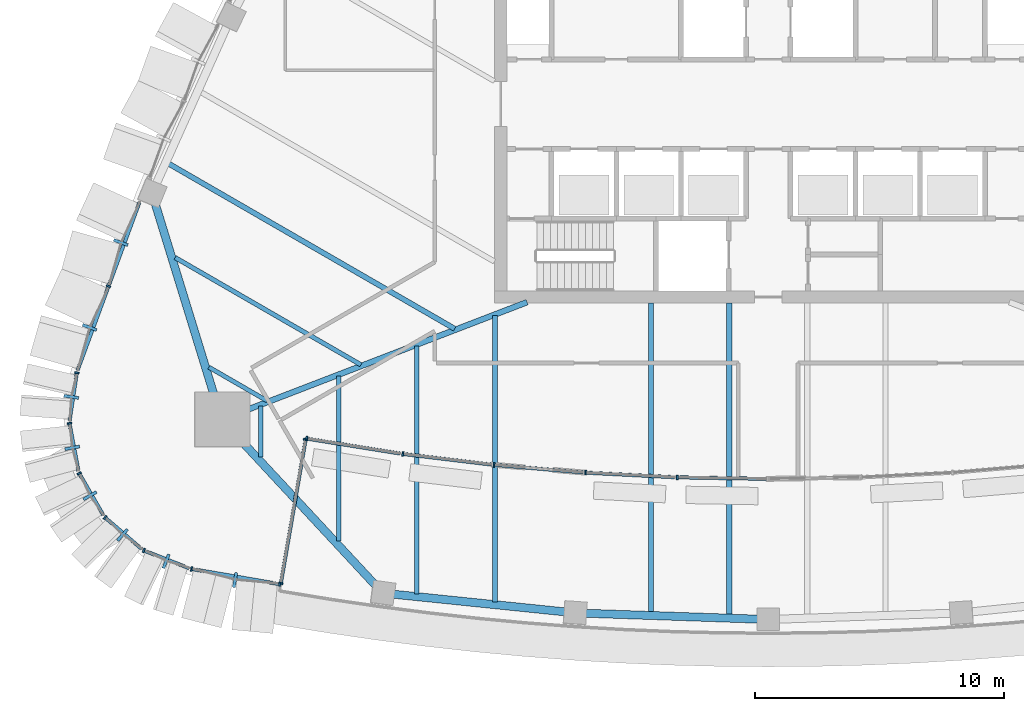
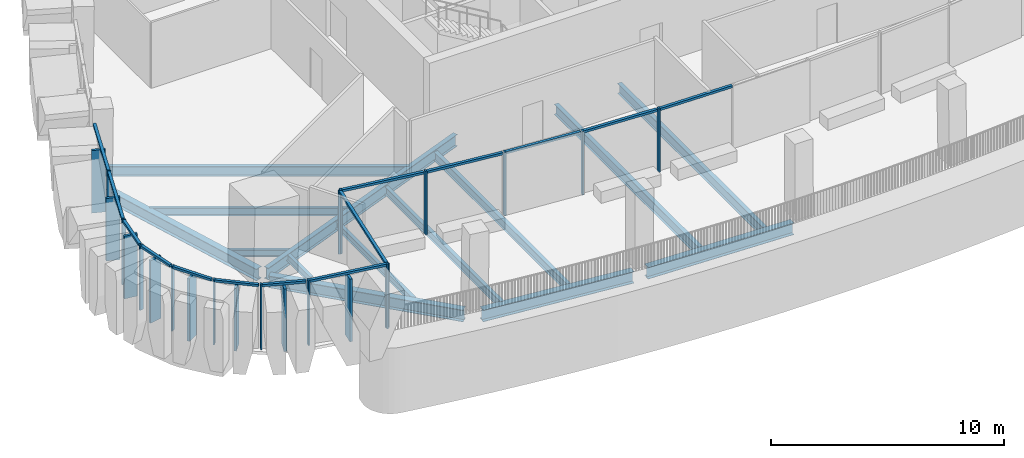
# One storey, part 2 of 22: 37 members, 14 beams, 13 elements without a shape of their own.
"""IFC4 building model written with IfcOpenShell, lengths in metres."""

from ifc_helpers import new_model, si_unit, direction, frame, origin, origin_2d, place, context, subcontext, project, spatial, rectangle, i_section, extrude, material, layer, layer_set, material_profile, profile_set, type_object, element, aggregate, save


model = new_model("IFC4")

# Units and contexts
model_context = context("Model", 3, precision=1e-05, world=origin(), true_north=direction((0.0, 1.0)))
body_context = subcontext(model_context, "Body", "Model", "MODEL_VIEW")
ifc_project = project(units=[si_unit("LENGTHUNIT", "METRE"), si_unit("AREAUNIT", "SQUARE_METRE"), si_unit("VOLUMEUNIT", "CUBIC_METRE"), si_unit("PLANEANGLEUNIT", "RADIAN"), si_unit("MASSUNIT", "GRAM", prefix="KILO")], contexts=[model_context])

# Site, building, storey
site_placement = place(None, origin())
site = spatial("IfcSite", under=ifc_project, at=site_placement, CompositionType="ELEMENT")
building_placement = place(site_placement, origin())
building = spatial("IfcBuilding", under=site, at=building_placement, Name="Sierra Prisma Convention Tower", CompositionType="ELEMENT")
storey_placement = place(building_placement, frame((0.0, 0.0, 243.0)))
storey = spatial("IfcBuildingStorey", under=building, at=storey_placement, Name="L54", CompositionType="ELEMENT", Elevation=243.0)

# Curtain wall, members
ifc_material_1 = material(Name="Aluminium and glass curtain wall", Category="aluminium")
ifc_layer_1 = layer(ifc_material_1, 0.179931640625)
ifc_layer_set_1 = layer_set([ifc_layer_1], Name="CW-2 Faceted crystal curtain wall")
curtain_wall_type_1 = type_object("IfcCurtainWallType", Name="CW-2 Faceted crystal curtain wall", PredefinedType="NOTDEFINED", material=ifc_layer_set_1)
curtain_wall_1_placement = place(storey_placement, origin())
curtain_wall_1 = element("IfcCurtainWall", 1, at=curtain_wall_1_placement, inside=storey, type_object=curtain_wall_type_1, Name="CW-2 NW6 L54", PredefinedType="NOTDEFINED")
ifc_material_2 = material(Name="Aluminium 6063-T6 bronze anodised", Category="aluminium")
ifc_material_profile_1 = material_profile(ifc_material_2, rectangle(XDim=0.1201171875, YDim=0.60009765625, at=origin_2d()), Name="ALU RIDGE BLADE 120x600")
ifc_profile_set_1 = profile_set([ifc_material_profile_1], Name="Aluminium 6063-T6 bronze anodised")
member_type_1 = type_object("IfcMemberType", Name="CW hip bronze", PredefinedType="MULLION", material=ifc_profile_set_1)
member_1_placement = place(storey_placement, frame((-26.006591796875, -5.563232421875, 0.0), z_axis=(0.0, 0.0, 1.0), x_axis=(-0.345602876726, -0.938380867025, 0.0)))
member_1 = element("IfcMember", 2, at=member_1_placement, type_object=member_type_1, Name="CW-2 ridge NW6.1", PredefinedType="MULLION", context=body_context, shape_type="SweptSolid", body=[
    extrude(rectangle(XDim=0.1201171875, YDim=0.60009765625, at=origin_2d()), origin(), (0.0, 0.0, 1.0), 3.280029296875),
])
member_2_placement = place(storey_placement, frame((-27.262451171875, -8.972900390625, 0.0), z_axis=(0.0, 0.0, 1.0), x_axis=(-0.345602876726, -0.938380867025, 0.0)))
member_2 = element("IfcMember", 3, at=member_2_placement, type_object=member_type_1, Name="CW-2 ridge NW6.2", PredefinedType="MULLION", context=body_context, shape_type="SweptSolid", body=[
    extrude(rectangle(XDim=0.1201171875, YDim=0.60009765625, at=origin_2d()), origin(), (0.0, 0.0, 1.0), 3.280029296875),
])

# Curtain wall, member
curtain_wall_2_placement = place(storey_placement, origin())
curtain_wall_2 = element("IfcCurtainWall", 4, at=curtain_wall_2_placement, inside=storey, type_object=curtain_wall_type_1, Name="CW-2 SW1 L54", PredefinedType="NOTDEFINED")
member_3_placement = place(storey_placement, frame((-27.998779296875, -11.762451171875, 0.0), z_axis=(0.0, 0.0, 1.0), x_axis=(-0.14970545889, -0.988730638535, 0.0)))
member_3 = element("IfcMember", 5, at=member_3_placement, type_object=member_type_1, Name="CW-2 ridge SW1.1", PredefinedType="MULLION", context=body_context, shape_type="SweptSolid", body=[
    extrude(rectangle(XDim=0.1201171875, YDim=0.60009765625, at=origin_2d()), origin(), (0.0, 0.0, 1.0), 3.280029296875),
])

curtain_wall_3_placement = place(storey_placement, origin())
curtain_wall_3 = element("IfcCurtainWall", 6, at=curtain_wall_3_placement, inside=storey, type_object=curtain_wall_type_1, Name="CW-2 SW2 L54", PredefinedType="NOTDEFINED")
member_4_placement = place(storey_placement, frame((-27.96142578125, -13.811279296875, 0.0), z_axis=(0.0, 0.0, 1.0), x_axis=(0.185582084377, -0.982628765078, 0.0)))
member_4 = element("IfcMember", 7, at=member_4_placement, type_object=member_type_1, Name="CW-2 ridge SW2.1", PredefinedType="MULLION", context=body_context, shape_type="SweptSolid", body=[
    extrude(rectangle(XDim=0.1201171875, YDim=0.60009765625, at=origin_2d()), origin(), (0.0, 0.0, 1.0), 3.280029296875),
])

curtain_wall_4_placement = place(storey_placement, origin())
curtain_wall_4 = element("IfcCurtainWall", 8, at=curtain_wall_4_placement, inside=storey, type_object=curtain_wall_type_1, Name="CW-2 SW3 L54", PredefinedType="NOTDEFINED")
member_5_placement = place(storey_placement, frame((-27.2490234375, -15.732177734375, 0.0), z_axis=(0.0, 0.0, 1.0), x_axis=(0.5, -0.866025403784, 0.0)))
member_5 = element("IfcMember", 9, at=member_5_placement, type_object=member_type_1, Name="CW-2 ridge SW3.1", PredefinedType="MULLION", context=body_context, shape_type="SweptSolid", body=[
    extrude(rectangle(XDim=0.1201171875, YDim=0.60009765625, at=origin_2d()), origin(), (0.0, 0.0, 1.0), 3.280029296875),
])

curtain_wall_5_placement = place(storey_placement, origin())
curtain_wall_5 = element("IfcCurtainWall", 10, at=curtain_wall_5_placement, inside=storey, type_object=curtain_wall_type_1, Name="CW-2 SW4 L54", PredefinedType="NOTDEFINED")
member_6_placement = place(storey_placement, frame((-25.941650390625, -17.309814453125, 0.0), z_axis=(0.0, 0.0, 1.0), x_axis=(0.758190430858, -0.652033182097, 0.0)))
member_6 = element("IfcMember", 11, at=member_6_placement, type_object=member_type_1, Name="CW-2 ridge SW4.1", PredefinedType="MULLION", context=body_context, shape_type="SweptSolid", body=[
    extrude(rectangle(XDim=0.1201171875, YDim=0.60009765625, at=origin_2d()), origin(), (0.0, 0.0, 1.0), 3.280029296875),
])

curtain_wall_6_placement = place(storey_placement, origin())
curtain_wall_6 = element("IfcCurtainWall", 12, at=curtain_wall_6_placement, inside=storey, type_object=curtain_wall_type_1, Name="CW-2 SW5 L54", PredefinedType="NOTDEFINED")
member_7_placement = place(storey_placement, frame((-24.18603515625, -18.366455078125, 0.0), z_axis=(0.0, 0.0, 1.0), x_axis=(0.931118579917, -0.364716588784, 0.0)))
member_7 = element("IfcMember", 13, at=member_7_placement, type_object=member_type_1, Name="CW-2 ridge SW5.1", PredefinedType="MULLION", context=body_context, shape_type="SweptSolid", body=[
    extrude(rectangle(XDim=0.1201171875, YDim=0.60009765625, at=origin_2d()), origin(), (0.0, 0.0, 1.0), 3.280029296875),
])

curtain_wall_7_placement = place(storey_placement, origin())
curtain_wall_7 = element("IfcCurtainWall", 14, at=curtain_wall_7_placement, inside=storey, type_object=curtain_wall_type_1, Name="CW-2 S1 L54", PredefinedType="NOTDEFINED")
member_8_placement = place(storey_placement, frame((-21.4189453125, -19.119140625, 0.0), z_axis=(0.0, 0.0, 1.0), x_axis=(0.985463107632, -0.169889562647, 0.0)))
member_8 = element("IfcMember", 15, at=member_8_placement, type_object=member_type_1, Name="CW-2 ridge S1.1", PredefinedType="MULLION", context=body_context, shape_type="SweptSolid", body=[
    extrude(rectangle(XDim=0.1201171875, YDim=0.60009765625, at=origin_2d()), origin(), (0.0, 0.0, 1.0), 3.280029296875),
])

# Member
ifc_material_3 = material(Name="Aluminium 6063-T6 bronze anodised", Category="aluminium")
ifc_material_profile_2 = material_profile(ifc_material_3, rectangle(XDim=0.179931640625, YDim=0.070068359375, at=origin_2d()), Name="ALU MULLION 70x180")
ifc_profile_set_2 = profile_set([ifc_material_profile_2], Name="Aluminium 6063-T6 bronze anodised")
member_type_2 = type_object("IfcMemberType", Name="CW mullion bronze", PredefinedType="MULLION", material=ifc_profile_set_2)
member_9_placement = place(storey_placement, frame((-26.5029296875, -7.31640625, 0.0), z_axis=(0.0, 0.0, 1.0), x_axis=(0.938380867025, -0.345602876726, 0.0)))
member_9 = element("IfcMember", 16, at=member_9_placement, type_object=member_type_2, Name="CW-1 mullion NW6.2", PredefinedType="MULLION", context=body_context, shape_type="SweptSolid", body=[
    extrude(rectangle(XDim=0.179931640625, YDim=0.070068359375, at=origin_2d()), origin(), (0.0, 0.0, 1.0), 3.39990234375),
])

member_10_placement = place(storey_placement, frame((-27.77587890625, -10.793701171875, 0.0), z_axis=(0.0, 0.0, 1.0), x_axis=(0.988730638535, -0.14970545889, 0.0)))
member_10 = element("IfcMember", 17, at=member_10_placement, type_object=member_type_2, Name="CW-1 mullion SW1.1", PredefinedType="MULLION", context=body_context, shape_type="SweptSolid", body=[
    extrude(rectangle(XDim=0.179931640625, YDim=0.070068359375, at=origin_2d()), origin(), (0.0, 0.0, 1.0), 3.39990234375),
])

member_11_placement = place(storey_placement, frame((-28.071533203125, -12.822998046875, 0.0), z_axis=(0.0, 0.0, 1.0), x_axis=(0.982628765078, 0.185582084377, 0.0)))
member_11 = element("IfcMember", 18, at=member_11_placement, type_object=member_type_2, Name="CW-1 mullion SW2.1", PredefinedType="MULLION", context=body_context, shape_type="SweptSolid", body=[
    extrude(rectangle(XDim=0.179931640625, YDim=0.070068359375, at=origin_2d()), origin(), (0.0, 0.0, 1.0), 3.39990234375),
])

member_12_placement = place(storey_placement, frame((-27.6796875, -14.836181640625, 0.0), z_axis=(0.0, 0.0, 1.0), x_axis=(0.866025403784, 0.5, 0.0)))
member_12 = element("IfcMember", 19, at=member_12_placement, type_object=member_type_2, Name="CW-1 mullion SW3.1", PredefinedType="MULLION", context=body_context, shape_type="SweptSolid", body=[
    extrude(rectangle(XDim=0.179931640625, YDim=0.070068359375, at=origin_2d()), origin(), (0.0, 0.0, 1.0), 3.39990234375),
])

member_13_placement = place(storey_placement, frame((-26.644287109375, -16.6064453125, 0.0), z_axis=(0.0, 0.0, 1.0), x_axis=(0.652033182097, 0.758190430858, 0.0)))
member_13 = element("IfcMember", 20, at=member_13_placement, type_object=member_type_2, Name="CW-1 mullion SW4.1", PredefinedType="MULLION", context=body_context, shape_type="SweptSolid", body=[
    extrude(rectangle(XDim=0.179931640625, YDim=0.070068359375, at=origin_2d()), origin(), (0.0, 0.0, 1.0), 3.39990234375),
])

member_14_placement = place(storey_placement, frame((-25.081787109375, -17.934814453125, 0.0), z_axis=(0.0, 0.0, 1.0), x_axis=(0.364716588784, 0.931118579917, 0.0)))
member_14 = element("IfcMember", 21, at=member_14_placement, type_object=member_type_2, Name="CW-1 mullion SW5.1", PredefinedType="MULLION", context=body_context, shape_type="SweptSolid", body=[
    extrude(rectangle(XDim=0.179931640625, YDim=0.070068359375, at=origin_2d()), origin(), (0.0, 0.0, 1.0), 3.39990234375),
])

member_15_placement = place(storey_placement, frame((-23.16845703125, -18.676513671875, 0.0), z_axis=(0.0, 0.0, 1.0), x_axis=(0.169889562647, 0.985463107632, 0.0)))
member_15 = element("IfcMember", 22, at=member_15_placement, type_object=member_type_2, Name="CW-1 mullion S1.1", PredefinedType="MULLION", context=body_context, shape_type="SweptSolid", body=[
    extrude(rectangle(XDim=0.179931640625, YDim=0.070068359375, at=origin_2d()), origin(), (0.0, 0.0, 1.0), 3.39990234375),
])

member_16_placement = place(storey_placement, frame((-19.6220703125, -19.2880859375, 0.0), z_axis=(0.0, 0.0, 1.0), x_axis=(0.169889562647, 0.985463107632, 0.0)))
member_16 = element("IfcMember", 23, at=member_16_placement, type_object=member_type_2, Name="CW-1 mullion S1.2", PredefinedType="MULLION", context=body_context, shape_type="SweptSolid", body=[
    extrude(rectangle(XDim=0.179931640625, YDim=0.070068359375, at=origin_2d()), origin(), (0.0, 0.0, 1.0), 3.39990234375),
])

# Curtain wall, member
ifc_material_4 = material(Name="Aluminium and glass curtain wall", Category="aluminium")
ifc_layer_2 = layer(ifc_material_4, 0.179931640625)
ifc_layer_set_2 = layer_set([ifc_layer_2], Name="CW-6 Terrace recess curtain wall")
curtain_wall_type_2 = type_object("IfcCurtainWallType", Name="CW-6 Terrace recess curtain wall", PredefinedType="NOTDEFINED", material=ifc_layer_set_2)
curtain_wall_8_placement = place(storey_placement, origin())
curtain_wall_8 = element("IfcCurtainWall", 24, at=curtain_wall_8_placement, inside=storey, type_object=curtain_wall_type_2, Name="CW-6 R1 L54", PredefinedType="NOTDEFINED")
member_17_placement = place(storey_placement, frame((-18.54248046875, -13.43701171875, 0.0), z_axis=(0.0, 0.0, 1.0), x_axis=(0.157852915543, 0.987462635776, 0.0)))
member_17 = element("IfcMember", 25, at=member_17_placement, type_object=member_type_2, Name="CW-6 mullion R1.1", PredefinedType="MULLION", context=body_context, shape_type="SweptSolid", body=[
    extrude(rectangle(XDim=0.179931640625, YDim=0.070068359375, at=origin_2d()), origin(), (0.0, 0.0, 1.0), 3.340087890625),
])

curtain_wall_9_placement = place(storey_placement, origin())
curtain_wall_9 = element("IfcCurtainWall", 26, at=curtain_wall_9_placement, inside=storey, type_object=curtain_wall_type_2, Name="CW-6 R2 L54", PredefinedType="NOTDEFINED")
member_18_placement = place(storey_placement, frame((-14.67724609375, -14.053466796875, 0.0), z_axis=(0.0, 0.0, 1.0), x_axis=(0.119218092591, 0.992868091138, 0.0)))
member_18 = element("IfcMember", 27, at=member_18_placement, type_object=member_type_2, Name="CW-6 mullion R2.1", PredefinedType="MULLION", context=body_context, shape_type="SweptSolid", body=[
    extrude(rectangle(XDim=0.179931640625, YDim=0.070068359375, at=origin_2d()), origin(), (0.0, 0.0, 1.0), 3.340087890625),
])

curtain_wall_10_placement = place(storey_placement, origin())
curtain_wall_10 = element("IfcCurtainWall", 28, at=curtain_wall_10_placement, inside=storey, type_object=curtain_wall_type_2, Name="CW-6 R3 L54", PredefinedType="NOTDEFINED")
member_19_placement = place(storey_placement, frame((-11.01416015625, -14.4921875, 0.0), z_axis=(0.0, 0.0, 1.0), x_axis=(0.08525518274, 0.99635914901, 0.0)))
member_19 = element("IfcMember", 29, at=member_19_placement, type_object=member_type_2, Name="CW-6 mullion R3.1", PredefinedType="MULLION", context=body_context, shape_type="SweptSolid", body=[
    extrude(rectangle(XDim=0.179931640625, YDim=0.070068359375, at=origin_2d()), origin(), (0.0, 0.0, 1.0), 3.340087890625),
])

curtain_wall_11_placement = place(storey_placement, origin())
curtain_wall_11 = element("IfcCurtainWall", 30, at=curtain_wall_11_placement, inside=storey, type_object=curtain_wall_type_2, Name="CW-6 R4 L54", PredefinedType="NOTDEFINED")
member_20_placement = place(storey_placement, frame((-7.338134765625, -14.805419921875, 0.0), z_axis=(0.0, 0.0, 1.0), x_axis=(0.051192893759, 0.998688784171, 0.0)))
member_20 = element("IfcMember", 31, at=member_20_placement, type_object=member_type_2, Name="CW-6 mullion R4.1", PredefinedType="MULLION", context=body_context, shape_type="SweptSolid", body=[
    extrude(rectangle(XDim=0.179931640625, YDim=0.070068359375, at=origin_2d()), origin(), (0.0, 0.0, 1.0), 3.340087890625),
])

curtain_wall_12_placement = place(storey_placement, origin())
curtain_wall_12 = element("IfcCurtainWall", 32, at=curtain_wall_12_placement, inside=storey, type_object=curtain_wall_type_2, Name="CW-6 R5 L54", PredefinedType="NOTDEFINED")
member_21_placement = place(storey_placement, frame((-3.65380859375, -14.9931640625, 0.0), z_axis=(0.0, 0.0, 1.0), x_axis=(0.017070930925, 0.999854281042, 0.0)))
member_21 = element("IfcMember", 33, at=member_21_placement, type_object=member_type_2, Name="CW-6 mullion R5.1", PredefinedType="MULLION", context=body_context, shape_type="SweptSolid", body=[
    extrude(rectangle(XDim=0.179931640625, YDim=0.070068359375, at=origin_2d()), origin(), (0.0, 0.0, 1.0), 3.340087890625),
])

# Curtain wall, members
curtain_wall_13_placement = place(storey_placement, origin())
curtain_wall_13 = element("IfcCurtainWall", 34, at=curtain_wall_13_placement, inside=storey, type_object=curtain_wall_type_2, Name="CW-6 RT1 L54", PredefinedType="NOTDEFINED")
member_22_placement = place(storey_placement, frame((-19.581787109375, -19.259521484375, 0.0), z_axis=(0.0, 0.0, 1.0), x_axis=(-0.985463107632, 0.169889562647, 0.0)))
member_22 = element("IfcMember", 35, at=member_22_placement, type_object=member_type_2, Name="CW-6 mullion RT1.1", PredefinedType="MULLION", context=body_context, shape_type="SweptSolid", body=[
    extrude(rectangle(XDim=0.179931640625, YDim=0.070068359375, at=origin_2d()), origin(), (0.0, 0.0, 1.0), 3.340087890625),
])
member_23_placement = place(storey_placement, frame((-18.5830078125, -13.4658203125, 0.0), z_axis=(0.0, 0.0, 1.0), x_axis=(-0.985463107632, 0.169889562647, 0.0)))
member_23 = element("IfcMember", 36, at=member_23_placement, type_object=member_type_2, Name="CW-6 mullion RT1.2", PredefinedType="MULLION", context=body_context, shape_type="SweptSolid", body=[
    extrude(rectangle(XDim=0.179931640625, YDim=0.070068359375, at=origin_2d()), origin(), (0.0, 0.0, 1.0), 3.340087890625),
])

# Member
ifc_material_5 = material(Name="Aluminium 6063-T6 bronze anodised", Category="aluminium")
ifc_material_profile_3 = material_profile(ifc_material_5, rectangle(XDim=0.139892578125, YDim=0.1201171875, at=origin_2d()), Name="ALU TRANSOM 120x140")
ifc_profile_set_3 = profile_set([ifc_material_profile_3], Name="Aluminium 6063-T6 bronze anodised")
member_type_3 = type_object("IfcMemberType", Name="CW transom bronze", PredefinedType="USERDEFINED", material=ifc_profile_set_3)
member_24_placement = place(storey_placement, frame((-25.25927734375, -3.939697265625, 3.340087890625), z_axis=(-0.345568834725, -0.938393403891, 0.0), x_axis=(0.938393403891, -0.345568834725, 0.0)))
member_24 = element("IfcMember", 37, at=member_24_placement, type_object=member_type_3, Name="CW-1 transom NW6.1", ObjectType="TRANSOM", PredefinedType="USERDEFINED", context=body_context, shape_type="SweptSolid", body=[
    extrude(rectangle(XDim=0.139892578125, YDim=0.1201171875, at=origin_2d()), origin(), (0.0, 0.0, 1.0), 3.5634765625),
])

member_25_placement = place(storey_placement, frame((-26.514892578125, -7.349365234375, 3.340087890625), z_axis=(-0.345629162035, -0.938371185806, 0.0), x_axis=(0.938371185806, -0.345629162035, 0.0)))
member_25 = element("IfcMember", 38, at=member_25_placement, type_object=member_type_3, Name="CW-1 transom NW6.2", ObjectType="TRANSOM", PredefinedType="USERDEFINED", context=body_context, shape_type="SweptSolid", body=[
    extrude(rectangle(XDim=0.139892578125, YDim=0.1201171875, at=origin_2d()), origin(), (0.0, 0.0, 1.0), 3.563720703125),
])

aggregate(curtain_wall_1, [member_9, member_24, member_1, member_25, member_2])

member_26_placement = place(storey_placement, frame((-27.78125, -10.828125, 3.340087890625), z_axis=(-0.149707080293, -0.988730393035, 0.0), x_axis=(0.988730393035, -0.149707080293, 0.0)))
member_26 = element("IfcMember", 39, at=member_26_placement, type_object=member_type_3, Name="CW-1 transom SW1.1", ObjectType="TRANSOM", PredefinedType="USERDEFINED", context=body_context, shape_type="SweptSolid", body=[
    extrude(rectangle(XDim=0.139892578125, YDim=0.1201171875, at=origin_2d()), origin(), (0.0, 0.0, 1.0), 1.912841796875),
])

aggregate(curtain_wall_2, [member_10, member_26, member_3])

member_27_placement = place(storey_placement, frame((-28.065185546875, -12.857421875, 3.340087890625), z_axis=(0.185575281529, -0.982630049859, 0.0), x_axis=(0.982630049859, 0.185575281529, 0.0)))
member_27 = element("IfcMember", 40, at=member_27_placement, type_object=member_type_3, Name="CW-1 transom SW2.1", ObjectType="TRANSOM", PredefinedType="USERDEFINED", context=body_context, shape_type="SweptSolid", body=[
    extrude(rectangle(XDim=0.139892578125, YDim=0.1201171875, at=origin_2d()), origin(), (0.0, 0.0, 1.0), 1.912841796875),
])

aggregate(curtain_wall_3, [member_11, member_27, member_4])

member_28_placement = place(storey_placement, frame((-27.662109375, -14.866455078125, 3.340087890625), z_axis=(0.499969214965, -0.866043176803, 0.0), x_axis=(0.866043176803, 0.499969214965, 0.0)))
member_28 = element("IfcMember", 41, at=member_28_placement, type_object=member_type_3, Name="CW-1 transom SW3.1", ObjectType="TRANSOM", PredefinedType="USERDEFINED", context=body_context, shape_type="SweptSolid", body=[
    extrude(rectangle(XDim=0.139892578125, YDim=0.1201171875, at=origin_2d()), origin(), (0.0, 0.0, 1.0), 1.91259765625),
])

aggregate(curtain_wall_4, [member_12, member_28, member_5])

member_29_placement = place(storey_placement, frame((-26.61767578125, -16.629150390625, 3.340087890625), z_axis=(0.758147336179, -0.652083289653, 0.0), x_axis=(0.652083289653, 0.758147336179, 0.0)))
member_29 = element("IfcMember", 42, at=member_29_placement, type_object=member_type_3, Name="CW-1 transom SW4.1", ObjectType="TRANSOM", PredefinedType="USERDEFINED", context=body_context, shape_type="SweptSolid", body=[
    extrude(rectangle(XDim=0.139892578125, YDim=0.1201171875, at=origin_2d()), origin(), (0.0, 0.0, 1.0), 1.912841796875),
])

aggregate(curtain_wall_5, [member_13, member_29, member_6])

member_30_placement = place(storey_placement, frame((-25.049072265625, -17.947509765625, 3.340087890625), z_axis=(0.931093934634, -0.364779501739, 0.0), x_axis=(0.364779501739, 0.931093934634, 0.0)))
member_30 = element("IfcMember", 43, at=member_30_placement, type_object=member_type_3, Name="CW-1 transom SW5.1", ObjectType="TRANSOM", PredefinedType="USERDEFINED", context=body_context, shape_type="SweptSolid", body=[
    extrude(rectangle(XDim=0.139892578125, YDim=0.1201171875, at=origin_2d()), origin(), (0.0, 0.0, 1.0), 1.912841796875),
])

aggregate(curtain_wall_6, [member_14, member_30, member_7])

member_31_placement = place(storey_placement, frame((-23.134033203125, -18.6826171875, 3.340087890625), z_axis=(0.985468104221, -0.169860576835, 0.0), x_axis=(0.169860576835, 0.985468104221, 0.0)))
member_31 = element("IfcMember", 44, at=member_31_placement, type_object=member_type_3, Name="CW-1 transom S1.1", ObjectType="TRANSOM", PredefinedType="USERDEFINED", context=body_context, shape_type="SweptSolid", body=[
    extrude(rectangle(XDim=0.139892578125, YDim=0.1201171875, at=origin_2d()), origin(), (0.0, 0.0, 1.0), 3.528564453125),
])

aggregate(curtain_wall_7, [member_15, member_16, member_31, member_8])

member_32_placement = place(storey_placement, frame((-18.5078125, -13.4423828125, 3.280029296875), z_axis=(0.98745314327, -0.157912285294, 0.0), x_axis=(0.157912285294, 0.98745314327, 0.0)))
member_32 = element("IfcMember", 45, at=member_32_placement, type_object=member_type_3, Name="CW-6 transom R1.1", ObjectType="TRANSOM", PredefinedType="USERDEFINED", context=body_context, shape_type="SweptSolid", body=[
    extrude(rectangle(XDim=0.139892578125, YDim=0.1201171875, at=origin_2d()), origin(), (0.0, 0.0, 1.0), 3.77392578125),
])

aggregate(curtain_wall_8, [member_17, member_32])

member_33_placement = place(storey_placement, frame((-14.642578125, -14.0576171875, 3.280029296875), z_axis=(0.992869350261, -0.119207605931, 0.0), x_axis=(0.119207605931, 0.992869350261, 0.0)))
member_33 = element("IfcMember", 46, at=member_33_placement, type_object=member_type_3, Name="CW-6 transom R2.1", ObjectType="TRANSOM", PredefinedType="USERDEFINED", context=body_context, shape_type="SweptSolid", body=[
    extrude(rectangle(XDim=0.139892578125, YDim=0.1201171875, at=origin_2d()), origin(), (0.0, 0.0, 1.0), 3.54931640625),
])

aggregate(curtain_wall_9, [member_18, member_33])

member_34_placement = place(storey_placement, frame((-10.979248046875, -14.4951171875, 3.280029296875), z_axis=(0.996361683938, -0.085225552392, 0.0), x_axis=(0.085225552392, 0.996361683938, 0.0)))
member_34 = element("IfcMember", 47, at=member_34_placement, type_object=member_type_3, Name="CW-6 transom R3.1", ObjectType="TRANSOM", PredefinedType="USERDEFINED", context=body_context, shape_type="SweptSolid", body=[
    extrude(rectangle(XDim=0.139892578125, YDim=0.1201171875, at=origin_2d()), origin(), (0.0, 0.0, 1.0), 3.54931640625),
])

aggregate(curtain_wall_10, [member_19, member_34])

member_35_placement = place(storey_placement, frame((-7.30322265625, -14.80712890625, 3.280029296875), z_axis=(0.998686129467, -0.051244656412, 0.0), x_axis=(0.051244656412, 0.998686129467, 0.0)))
member_35 = element("IfcMember", 48, at=member_35_placement, type_object=member_type_3, Name="CW-6 transom R4.1", ObjectType="TRANSOM", PredefinedType="USERDEFINED", context=body_context, shape_type="SweptSolid", body=[
    extrude(rectangle(XDim=0.139892578125, YDim=0.1201171875, at=origin_2d()), origin(), (0.0, 0.0, 1.0), 3.54931640625),
])

aggregate(curtain_wall_11, [member_20, member_35])

member_36_placement = place(storey_placement, frame((-3.61865234375, -14.99365234375, 3.280029296875), z_axis=(0.999854471356, -0.017059780454, 0.0), x_axis=(0.017059780454, 0.999854471356, 0.0)))
member_36 = element("IfcMember", 49, at=member_36_placement, type_object=member_type_3, Name="CW-6 transom R5.1", ObjectType="TRANSOM", PredefinedType="USERDEFINED", context=body_context, shape_type="SweptSolid", body=[
    extrude(rectangle(XDim=0.139892578125, YDim=0.1201171875, at=origin_2d()), origin(), (0.0, 0.0, 1.0), 3.549072265625),
])

aggregate(curtain_wall_12, [member_21, member_36])

member_37_placement = place(storey_placement, frame((-19.57568359375, -19.224853515625, 3.280029296875), z_axis=(0.169882989768, 0.985464240745, 0.0), x_axis=(-0.985464240745, 0.169882989768, 0.0)))
member_37 = element("IfcMember", 50, at=member_37_placement, type_object=member_type_3, Name="CW-6 transom RT1.1", ObjectType="TRANSOM", PredefinedType="USERDEFINED", context=body_context, shape_type="SweptSolid", body=[
    extrude(rectangle(XDim=0.139892578125, YDim=0.1201171875, at=origin_2d()), origin(), (0.0, 0.0, 1.0), 5.808837890625),
])

aggregate(curtain_wall_13, [member_22, member_23, member_37])

# Beams
ifc_material_6 = material(Name="Steel ASTM A992 Gr 50", Category="steel")
ifc_material_profile_4 = material_profile(ifc_material_6, i_section(OverallWidth=0.172119140625, OverallDepth=0.35791015625, WebThickness=0.0078125, FlangeThickness=0.01318359375, at=origin_2d()), Name="W360x57")
ifc_profile_set_4 = profile_set([ifc_material_profile_4], Name="Steel ASTM A992 Gr 50")
beam_type_1 = type_object("IfcBeamType", Name="Floor joist W360x57", PredefinedType="JOIST", material=ifc_profile_set_4)
beam_1_placement = place(storey_placement, frame((-20.38916015625, -14.176513671875, -0.3291015625), z_axis=(0.0, 1.0, 0.0), x_axis=(-1.0, 0.0, 0.0)))
element("IfcBeam", 51, at=beam_1_placement, inside=storey, type_object=beam_type_1, Name="Floor joist L54 S01", PredefinedType="JOIST", context=body_context, shape_type="SweptSolid", body=[
    extrude(i_section(OverallWidth=0.172119140625, OverallDepth=0.35791015625, WebThickness=0.0078125, FlangeThickness=0.01318359375, at=origin_2d()), origin(), (0.0, 0.0, 1.0), 2.053466796875),
])
beam_2_placement = place(storey_placement, frame((-17.25244140625, -17.55224609375, -0.47900390625), z_axis=(0.0, 1.0, 0.0), x_axis=(-1.0, 0.0, 0.0)))
element("IfcBeam", 52, at=beam_2_placement, inside=storey, type_object=beam_type_1, Name="Floor joist L54 S02", PredefinedType="JOIST", context=body_context, shape_type="SweptSolid", body=[
    extrude(i_section(OverallWidth=0.172119140625, OverallDepth=0.35791015625, WebThickness=0.0078125, FlangeThickness=0.01318359375, at=origin_2d()), origin(), (0.0, 0.0, 1.0), 6.635986328125),
])
beam_3_placement = place(storey_placement, frame((-22.4716796875, -10.5693359375, -0.3291015625), z_axis=(0.865987406614, -0.500065807255, 0.0), x_axis=(0.500065807255, 0.865987406614, 0.0)))
element("IfcBeam", 53, at=beam_3_placement, inside=storey, type_object=beam_type_1, Name="Floor joist L54 NW14", PredefinedType="JOIST", context=body_context, shape_type="SweptSolid", body=[
    extrude(i_section(OverallWidth=0.172119140625, OverallDepth=0.35791015625, WebThickness=0.0078125, FlangeThickness=0.01318359375, at=origin_2d()), origin(), (0.0, 0.0, 1.0), 2.708251953125),
])
ifc_material_7 = material(Name="Steel ASTM A992 Gr 50", Category="steel")
ifc_material_profile_5 = material_profile(ifc_material_7, i_section(OverallWidth=0.177978515625, OverallDepth=0.406982421875, WebThickness=0.0078125, FlangeThickness=0.0126953125, at=origin_2d()), Name="W410x60")
ifc_profile_set_5 = profile_set([ifc_material_profile_5], Name="Steel ASTM A992 Gr 50")
beam_type_2 = type_object("IfcBeamType", Name="Floor joist W410x60", PredefinedType="JOIST", material=ifc_profile_set_5)
beam_4_placement = place(storey_placement, frame((-14.11572265625, -19.673828125, -0.50341796875), z_axis=(0.0, 1.0, 0.0), x_axis=(-1.0, 0.0, 0.0)))
element("IfcBeam", 54, at=beam_4_placement, inside=storey, type_object=beam_type_2, Name="Floor joist L54 S03", PredefinedType="JOIST", context=body_context, shape_type="SweptSolid", body=[
    extrude(i_section(OverallWidth=0.177978515625, OverallDepth=0.406982421875, WebThickness=0.0078125, FlangeThickness=0.0126953125, at=origin_2d()), origin(), (0.0, 0.0, 1.0), 9.96435546875),
])
beam_5_placement = place(storey_placement, frame((-23.826904296875, -6.1650390625, -0.353515625), z_axis=(0.866028059259, -0.499995400555, 0.0), x_axis=(0.499995400555, 0.866028059259, 0.0)))
element("IfcBeam", 55, at=beam_5_placement, inside=storey, type_object=beam_type_2, Name="Floor joist L54 NW13", PredefinedType="JOIST", context=body_context, shape_type="SweptSolid", body=[
    extrude(i_section(OverallWidth=0.177978515625, OverallDepth=0.406982421875, WebThickness=0.0078125, FlangeThickness=0.0126953125, at=origin_2d()), origin(), (0.0, 0.0, 1.0), 8.6201171875),
])
ifc_material_8 = material(Name="Steel ASTM A992 Gr 50", Category="steel")
ifc_material_profile_6 = material_profile(ifc_material_8, i_section(OverallWidth=0.18994140625, OverallDepth=0.45703125, WebThickness=0.009033203125, FlangeThickness=0.014404296875, at=origin_2d()), Name="W460x74")
ifc_profile_set_6 = profile_set([ifc_material_profile_6], Name="Steel ASTM A992 Gr 50")
beam_type_3 = type_object("IfcBeamType", Name="Floor joist W460x74", PredefinedType="JOIST", material=ifc_profile_set_6)
beam_6_placement = place(storey_placement, frame((-10.978759765625, -19.996337890625, -0.528564453125), z_axis=(0.0, 1.0, 0.0), x_axis=(-1.0, 0.0, 0.0)))
element("IfcBeam", 56, at=beam_6_placement, inside=storey, type_object=beam_type_3, Name="Floor joist L54 S04", PredefinedType="JOIST", context=body_context, shape_type="SweptSolid", body=[
    extrude(i_section(OverallWidth=0.18994140625, OverallDepth=0.45703125, WebThickness=0.009033203125, FlangeThickness=0.014404296875, at=origin_2d()), origin(), (0.0, 0.0, 1.0), 11.49365234375),
])
ifc_material_9 = material(Name="Steel ASTM A992 Gr 50", Category="steel")
ifc_material_profile_7 = material_profile(ifc_material_9, i_section(OverallWidth=0.208984375, OverallDepth=0.532958984375, WebThickness=0.01025390625, FlangeThickness=0.015625, at=origin_2d()), Name="W530x92")
ifc_profile_set_7 = profile_set([ifc_material_profile_7], Name="Steel ASTM A992 Gr 50")
beam_type_4 = type_object("IfcBeamType", Name="Floor joist W530x92", PredefinedType="JOIST", material=ifc_profile_set_7)
beam_7_placement = place(storey_placement, frame((-4.705322265625, -20.432373046875, -0.56640625), z_axis=(0.0, 1.0, 0.0), x_axis=(-1.0, 0.0, 0.0)))
element("IfcBeam", 57, at=beam_7_placement, inside=storey, type_object=beam_type_4, Name="Floor joist L54 S06", PredefinedType="JOIST", context=body_context, shape_type="SweptSolid", body=[
    extrude(i_section(OverallWidth=0.208984375, OverallDepth=0.532958984375, WebThickness=0.01025390625, FlangeThickness=0.015625, at=origin_2d()), origin(), (0.0, 0.0, 1.0), 12.432373046875),
])
beam_8_placement = place(storey_placement, frame((-1.568359375, -20.53955078125, -0.56640625), z_axis=(0.0, 1.0, 0.0), x_axis=(-1.0, 0.0, 0.0)))
element("IfcBeam", 58, at=beam_8_placement, inside=storey, type_object=beam_type_4, Name="Floor joist L54 S07", PredefinedType="JOIST", context=body_context, shape_type="SweptSolid", body=[
    extrude(i_section(OverallWidth=0.208984375, OverallDepth=0.532958984375, WebThickness=0.01025390625, FlangeThickness=0.015625, at=origin_2d()), origin(), (0.0, 0.0, 1.0), 12.53955078125),
])
beam_9_placement = place(storey_placement, frame((-24.095947265625, -2.387451171875, -0.41650390625), z_axis=(0.866023612651, -0.500003102321, 0.0), x_axis=(0.500003102321, 0.866023612651, 0.0)))
element("IfcBeam", 59, at=beam_9_placement, inside=storey, type_object=beam_type_4, Name="Floor joist L54 NW12", PredefinedType="JOIST", context=body_context, shape_type="SweptSolid", body=[
    extrude(i_section(OverallWidth=0.208984375, OverallDepth=0.532958984375, WebThickness=0.01025390625, FlangeThickness=0.015625, at=origin_2d()), origin(), (0.0, 0.0, 1.0), 13.2783203125),
])
ifc_material_10 = material(Name="Steel ASTM A992 Gr 50", Category="steel")
ifc_material_profile_8 = material_profile(ifc_material_10, i_section(OverallWidth=0.22998046875, OverallDepth=0.616943359375, WebThickness=0.01318359375, FlangeThickness=0.022216796875, at=origin_2d()), Name="W610x140")
ifc_profile_set_8 = profile_set([ifc_material_profile_8], Name="Steel ASTM A992 Gr 50")
beam_type_5 = type_object("IfcBeamType", Name="Radial girder W610x140", PredefinedType="BEAM", material=ifc_profile_set_8)
beam_10_placement = place(storey_placement, frame((-21.737548828125, -12.592529296875, -0.45849609375), z_axis=(0.933318310276, 0.359050040669, 0.0), x_axis=(-0.359050040669, 0.933318310276, 0.0)))
element("IfcBeam", 60, at=beam_10_placement, inside=storey, type_object=beam_type_5, Name="Radial girder L54 SW", PredefinedType="BEAM", context=body_context, shape_type="SweptSolid", body=[
    extrude(i_section(OverallWidth=0.22998046875, OverallDepth=0.616943359375, WebThickness=0.01318359375, FlangeThickness=0.022216796875, at=origin_2d()), origin(), (0.0, 0.0, 1.0), 12.910400390625),
])
ifc_material_11 = material(Name="Steel ASTM A992 Gr 50", Category="steel")
ifc_material_profile_9 = material_profile(ifc_material_11, i_section(OverallWidth=0.324951171875, OverallDepth=0.615966796875, WebThickness=0.013916015625, FlangeThickness=0.021484375, at=origin_2d()), Name="W610x174")
ifc_profile_set_9 = profile_set([ifc_material_profile_9], Name="Steel ASTM A992 Gr 50")
beam_type_6 = type_object("IfcBeamType", Name="Spandrel beam W610x174", PredefinedType="BEAM", material=ifc_profile_set_9)
beam_11_placement = place(storey_placement, frame((-21.753173828125, -12.897216796875, -0.60791015625), z_axis=(0.680689649854, -0.732571908131, 0.0), x_axis=(0.732571908131, 0.680689649854, 0.0)))
element("IfcBeam", 61, at=beam_11_placement, inside=storey, type_object=beam_type_6, Name="Spandrel L54-01", PredefinedType="BEAM", context=body_context, shape_type="SweptSolid", body=[
    extrude(i_section(OverallWidth=0.324951171875, OverallDepth=0.615966796875, WebThickness=0.013916015625, FlangeThickness=0.021484375, at=origin_2d()), origin(), (0.0, 0.0, 1.0), 8.75244140625),
])
beam_12_placement = place(storey_placement, frame((-15.15283203125, -19.6806640625, -0.60791015625), z_axis=(0.994758065595, -0.102256495807, 0.0), x_axis=(0.102256495807, 0.994758065595, 0.0)))
element("IfcBeam", 62, at=beam_12_placement, inside=storey, type_object=beam_type_6, Name="Spandrel L54-02", PredefinedType="BEAM", context=body_context, shape_type="SweptSolid", body=[
    extrude(i_section(OverallWidth=0.324951171875, OverallDepth=0.615966796875, WebThickness=0.013916015625, FlangeThickness=0.021484375, at=origin_2d()), origin(), (0.0, 0.0, 1.0), 7.10302734375),
])
beam_13_placement = place(storey_placement, frame((-7.4287109375, -20.451904296875, -0.60791015625), z_axis=(0.999417334265, -0.034131978708, 0.0), x_axis=(0.034131978708, 0.999417334265, 0.0)))
element("IfcBeam", 63, at=beam_13_placement, inside=storey, type_object=beam_type_6, Name="Spandrel L54-03", PredefinedType="BEAM", context=body_context, shape_type="SweptSolid", body=[
    extrude(i_section(OverallWidth=0.324951171875, OverallDepth=0.615966796875, WebThickness=0.013916015625, FlangeThickness=0.021484375, at=origin_2d()), origin(), (0.0, 0.0, 1.0), 7.102783203125),
])
beam_14_placement = place(storey_placement, frame((-24.61962890625, -4.024658203125, -0.4580078125), z_axis=(0.294043069069, -0.95579217068, 0.0), x_axis=(0.95579217068, 0.294043069069, 0.0)))
element("IfcBeam", 64, at=beam_14_placement, inside=storey, type_object=beam_type_6, Name="Spandrel L54-18", PredefinedType="BEAM", context=body_context, shape_type="SweptSolid", body=[
    extrude(i_section(OverallWidth=0.324951171875, OverallDepth=0.615966796875, WebThickness=0.013916015625, FlangeThickness=0.021484375, at=origin_2d()), origin(), (0.0, 0.0, 1.0), 8.82275390625),
])

save(model, "model.ifc")
